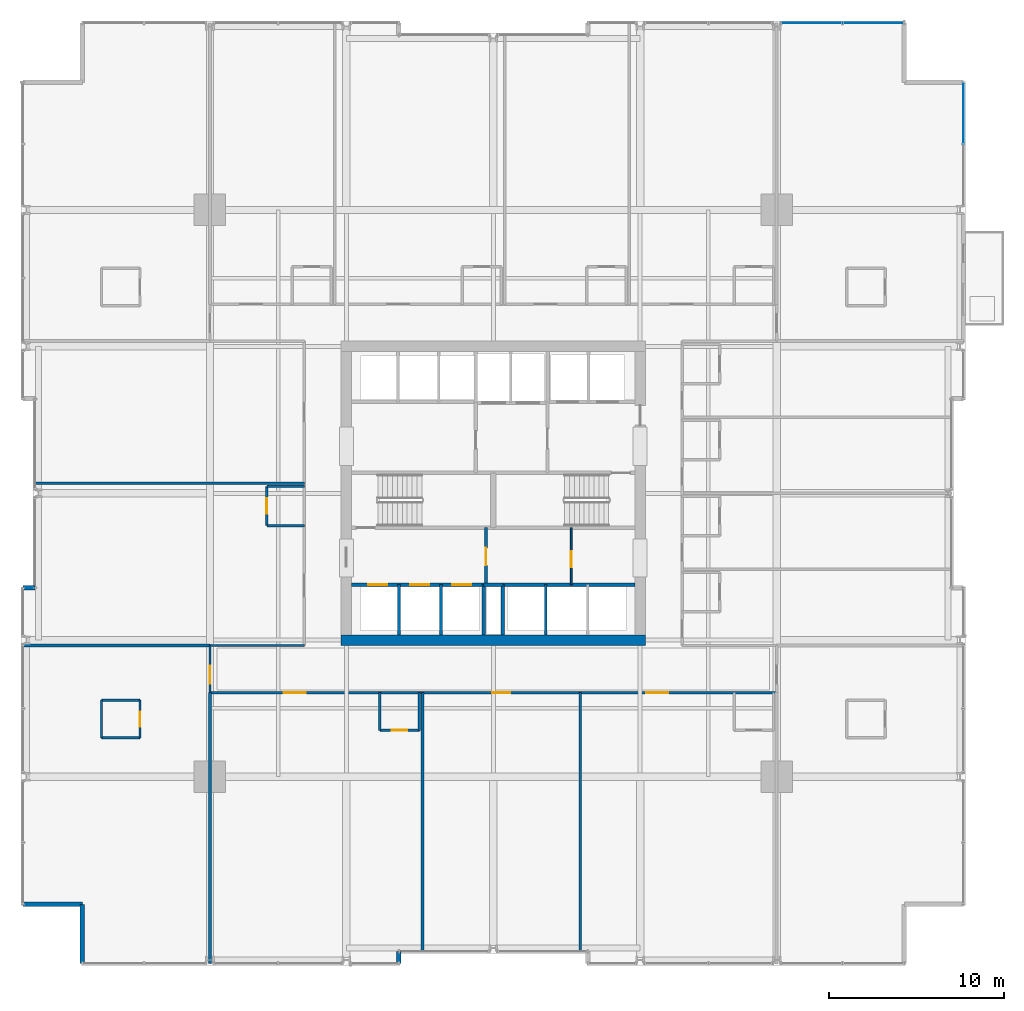
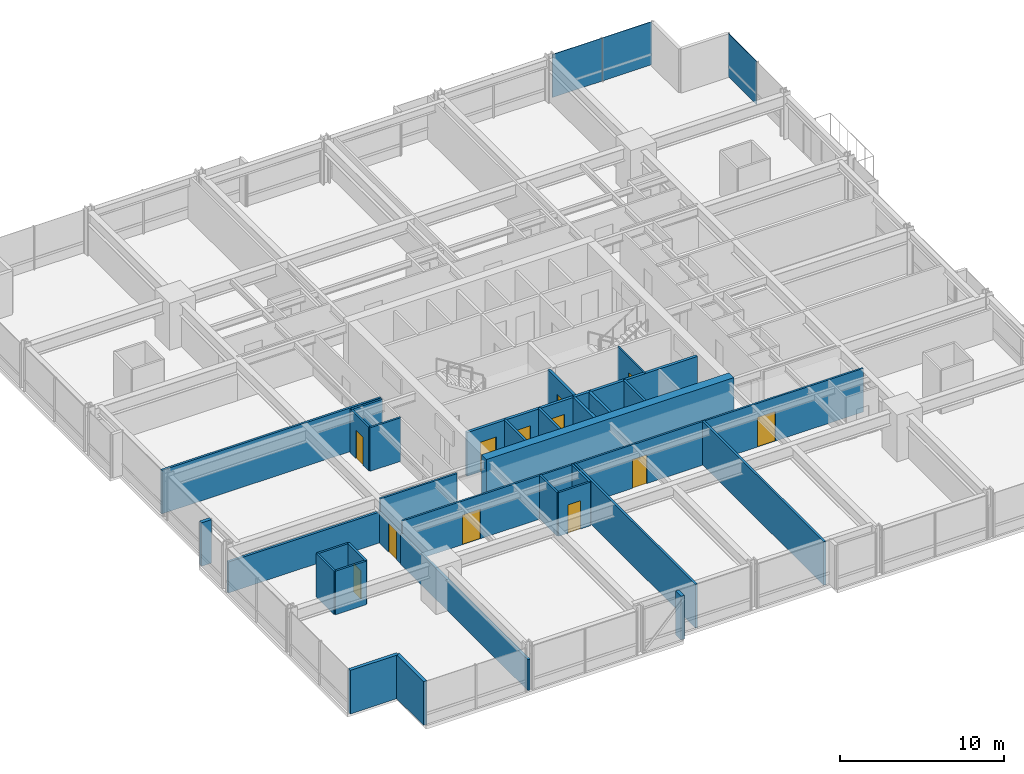
# One storey, part 30 of 38: 33 walls, 12 doors, 3 plates, 12 openings, 2 elements without a shape of their own.
"""IFC4 building model written with IfcOpenShell, lengths in metres."""

from ifc_helpers import new_model, si_unit, direction, frame, frame_2d, origin, origin_2d, place, context, subcontext, project, spatial, rectangle, extrude, material, layer, layer_set, type_object, element, fill, aggregate, save


model = new_model("IFC4")

# Units and contexts
model_context = context("Model", 3, precision=1e-05, world=origin(), true_north=direction((0.0, 1.0)))
body_context = subcontext(model_context, "Body", "Model", "MODEL_VIEW")
ifc_project = project(units=[si_unit("LENGTHUNIT", "METRE"), si_unit("AREAUNIT", "SQUARE_METRE"), si_unit("VOLUMEUNIT", "CUBIC_METRE"), si_unit("PLANEANGLEUNIT", "RADIAN"), si_unit("MASSUNIT", "GRAM", prefix="KILO")], contexts=[model_context])

# Site, building, storey
site_placement = place(None, origin())
site = spatial("IfcSite", under=ifc_project, at=site_placement, CompositionType="ELEMENT")
building_placement = place(site_placement, origin())
building = spatial("IfcBuilding", under=site, at=building_placement, Name="Drelvath Grand Hotel", CompositionType="ELEMENT")
storey_placement = place(building_placement, frame((0.0, 0.0, 47.199951171875)))
storey = spatial("IfcBuildingStorey", under=building, at=storey_placement, Name="L10", CompositionType="ELEMENT", Elevation=47.199951171875)

# Curtain wall, plate
ifc_material_1 = material(Name="Warm Bronze Anodised Aluminium Frame", Category="aluminium")
ifc_layer_1 = layer(ifc_material_1, 0.199951171875)
ifc_layer_set_1 = layer_set([ifc_layer_1], Name="Warm Bronze Anodised Aluminium Frame")
curtain_wall_type = type_object("IfcCurtainWallType", Name="Stick Curtain Wall CW-02 Warm Bronze Low-Rise", PredefinedType="NOTDEFINED", material=ifc_layer_set_1)
curtain_wall_1_placement = place(storey_placement, origin())
curtain_wall_1 = element("IfcCurtainWall", 1, at=curtain_wall_1_placement, inside=storey, type_object=curtain_wall_type, Name="L10 CW-02 Curtain Wall CW02-L10-EN3", PredefinedType="NOTDEFINED")
ifc_material_2 = material(Name="Low-E Triple Silver Vision Glass Bronze Tint", Category="glass")
ifc_layer_2 = layer(ifc_material_2, 0.035888671875)
ifc_layer_set_2 = layer_set([ifc_layer_2], Name="Low-E Triple Silver Vision Glass Bronze Tint")
plate_type = type_object("IfcPlateType", Name="Curtain Wall Vision Panel CW-02 36mm", PredefinedType="CURTAIN_PANEL", material=ifc_layer_set_2)
plate_1_placement = place(storey_placement, frame((26.8798828125, 48.735107421875, 0.02001953125), z_axis=(0.0, 0.0, 1.0), x_axis=(0.0, -1.0, 0.0)))
plate_1 = element("IfcPlate", 2, at=plate_1_placement, type_object=plate_type, Name="CW02-L10-EN3 Glazed Panel 1", PredefinedType="CURTAIN_PANEL", context=body_context, shape_type="SweptSolid", body=[
    extrude(rectangle(XDim=3.489501953125, YDim=0.035888671875, at=origin_2d()), origin(), (0.0, 0.0, 1.0), 3.199951171875),
])
aggregate(curtain_wall_1, [plate_1])

# Curtain wall, plates
curtain_wall_2_placement = place(storey_placement, origin())
curtain_wall_2 = element("IfcCurtainWall", 3, at=curtain_wall_2_placement, inside=storey, type_object=curtain_wall_type, Name="L10 CW-02 Curtain Wall CW02-L10-NE3", PredefinedType="NOTDEFINED")
plate_2_placement = place(storey_placement, frame((18.205810546875, 53.8798828125, 0.02001953125), z_axis=(0.0, 0.0, 1.0), x_axis=(1.0, 0.0, 0.0)))
plate_2 = element("IfcPlate", 4, at=plate_2_placement, type_object=plate_type, Name="CW02-L10-NE3 Glazed Panel 1", PredefinedType="CURTAIN_PANEL", context=body_context, shape_type="SweptSolid", body=[
    extrude(rectangle(XDim=3.489501953125, YDim=0.035888671875, at=origin_2d()), origin(), (0.0, 0.0, 1.0), 3.199951171875),
])
plate_3_placement = place(storey_placement, frame((21.735107421875, 53.8798828125, 0.02001953125), z_axis=(0.0, 0.0, 1.0), x_axis=(1.0, 0.0, 0.0)))
plate_3 = element("IfcPlate", 5, at=plate_3_placement, type_object=plate_type, Name="CW02-L10-NE3 Glazed Panel 2", PredefinedType="CURTAIN_PANEL", context=body_context, shape_type="SweptSolid", body=[
    extrude(rectangle(XDim=3.489501953125, YDim=0.035888671875, at=origin_2d()), origin(), (0.0, 0.0, 1.0), 3.199951171875),
])
aggregate(curtain_wall_2, [plate_2, plate_3])

# Wall, opening, door
ifc_material_3 = material(Name="Gypsum Partition Board")
ifc_layer_3 = layer(ifc_material_3, 0.10009765625)
ifc_layer_set_3 = layer_set([ifc_layer_3], Name="Gypsum Partition Board")
wall_type_1 = type_object("IfcWallType", Name="Core Closet Partition 100", PredefinedType="PARTITIONING", material=ifc_layer_set_3)
wall_1_placement = place(storey_placement, frame((4.4599609375, 21.780029296875, 0.0), z_axis=(0.0, 0.0, 1.0), x_axis=(0.0, 1.0, 0.0)))
wall_1 = element("IfcWall", 6, at=wall_1_placement, inside=storey, type_object=wall_type_1, Name="L10 Housekeeping Split Wall", PredefinedType="PARTITIONING", context=body_context, shape_type="SweptSolid", body=[
    extrude(rectangle(XDim=3.260009765625, YDim=0.10009765625, at=frame_2d((1.6298828125, 0.0))), origin(), (0.0, 0.0, 1.0), 3.239990234375),
])
opening_1_placement = place(wall_1_placement, frame((1.0, 0.0, 0.0)))
opening_1 = element("IfcOpeningElement", 7, at=opening_1_placement, cuts=wall_1, Name="Opening D-T1G2-015", PredefinedType="OPENING", context=body_context, shape_type="SweptSolid", body=[
    extrude(rectangle(XDim=0.919921875, YDim=2.10009765625, at=frame_2d((0.4599609375, 1.050048828125))), frame((0.0, 0.06005859375, 0.0), z_axis=(0.0, -1.0, 0.0), x_axis=(1.0, 0.0, 0.0)), (0.0, 0.0, 1.0), 0.1201171875),
])
ifc_material_4 = material(Name="Painted Steel S275", Category="steel")
door_type_1 = type_object("IfcDoorType", Name="Staff Utility Door 920x2100", OperationType="NOTDEFINED", PredefinedType="DOOR", material=ifc_material_4)
door_1_placement = place(opening_1_placement, origin())
door_1 = element("IfcDoor", 8, at=door_1_placement, inside=storey, type_object=door_type_1, Name="L10 Core Store Door", OperationType="SINGLE_SWING_RIGHT", OverallHeight=2.10009765625, OverallWidth=0.919921875, PredefinedType="DOOR", context=body_context, shape_type="SweptSolid", body=[
    extrude(rectangle(XDim=0.919921875, YDim=2.10009765625, at=frame_2d((0.4599609375, 1.050048828125))), frame((0.0, 0.02490234375, 0.0), z_axis=(0.0, -1.0, 0.0), x_axis=(1.0, 0.0, 0.0)), (0.0, 0.0, 1.0), 0.050048828125),
])
fill(opening_1, door_1)

# Wall, openings, doors
ifc_material_5 = material(Name="Concrete C40/50", Category="concrete")
ifc_layer_4 = layer(ifc_material_5, 0.199951171875)
ifc_layer_set_4 = layer_set([ifc_layer_4], Name="Concrete C40/50")
wall_type_2 = type_object("IfcWallType", Name="Core Hoistway Fire Wall 200", PredefinedType="SOLIDWALL", material=ifc_layer_set_4)
wall_2_placement = place(storey_placement, frame((-0.550048828125, 21.780029296875, 0.0), z_axis=(0.0, 0.0, 1.0), x_axis=(-1.0, 0.0, 0.0)))
wall_2 = element("IfcWall", 9, at=wall_2_placement, inside=storey, type_object=wall_type_2, Name="L10 Bank 1 Hoistway Wall", PredefinedType="SOLIDWALL", context=body_context, shape_type="SweptSolid", body=[
    extrude(rectangle(XDim=7.550048828125, YDim=0.199951171875, at=frame_2d((3.77490234375, 0.0))), origin(), (0.0, 0.0, 1.0), 3.239990234375),
])
opening_2_placement = place(wall_2_placement, frame((5.5, 0.0, 0.0)))
opening_2 = element("IfcOpeningElement", 10, at=opening_2_placement, cuts=wall_2, Name="Opening LD-PE-1", PredefinedType="OPENING", context=body_context, shape_type="SweptSolid", body=[
    extrude(rectangle(XDim=1.10009765625, YDim=2.199951171875, at=frame_2d((0.550048828125, 1.10009765625))), frame((0.0, 0.10986328125, 0.0), z_axis=(0.0, -1.0, 0.0), x_axis=(1.0, 0.0, 0.0)), (0.0, 0.0, 1.0), 0.219970703125),
])
opening_3_placement = place(wall_2_placement, frame((3.10009765625, 0.0, 0.0)))
opening_3 = element("IfcOpeningElement", 11, at=opening_3_placement, cuts=wall_2, Name="Opening LD-PE-2", PredefinedType="OPENING", context=body_context, shape_type="SweptSolid", body=[
    extrude(rectangle(XDim=1.10009765625, YDim=2.199951171875, at=frame_2d((0.550048828125, 1.10009765625))), frame((0.0, 0.10986328125, 0.0), z_axis=(0.0, -1.0, 0.0), x_axis=(1.0, 0.0, 0.0)), (0.0, 0.0, 1.0), 0.219970703125),
])
opening_4_placement = place(wall_2_placement, frame((0.699951171875, 0.0, 0.0)))
opening_4 = element("IfcOpeningElement", 12, at=opening_4_placement, cuts=wall_2, Name="Opening LD-PE-3", PredefinedType="OPENING", context=body_context, shape_type="SweptSolid", body=[
    extrude(rectangle(XDim=1.10009765625, YDim=2.199951171875, at=frame_2d((0.550048828125, 1.10009765625))), frame((0.0, 0.10986328125, 0.0), z_axis=(0.0, -1.0, 0.0), x_axis=(1.0, 0.0, 0.0)), (0.0, 0.0, 1.0), 0.219970703125),
])
ifc_material_6 = material(Name="Stainless Steel S355", Category="steel")
door_type_2 = type_object("IfcDoorType", Name="Passenger Lift Sliding Landing Door 1100x2200", OperationType="NOTDEFINED", PredefinedType="DOOR", material=ifc_material_6)
door_2_placement = place(opening_2_placement, origin())
door_2 = element("IfcDoor", 13, at=door_2_placement, inside=storey, type_object=door_type_2, Name="L10 Lift PE-1 Landing Door", OperationType="SLIDING_TO_LEFT", OverallHeight=2.199951171875, OverallWidth=1.10009765625, PredefinedType="DOOR", context=body_context, shape_type="SweptSolid", body=[
    extrude(rectangle(XDim=1.10009765625, YDim=2.199951171875, at=frame_2d((0.550048828125, 1.10009765625))), frame((0.0, 0.02490234375, 0.0), z_axis=(0.0, -1.0, 0.0), x_axis=(1.0, 0.0, 0.0)), (0.0, 0.0, 1.0), 0.050048828125),
])
fill(opening_2, door_2)
door_3_placement = place(opening_3_placement, origin())
door_3 = element("IfcDoor", 14, at=door_3_placement, inside=storey, type_object=door_type_2, Name="L10 Lift PE-2 Landing Door", OperationType="SLIDING_TO_LEFT", OverallHeight=2.199951171875, OverallWidth=1.10009765625, PredefinedType="DOOR", context=body_context, shape_type="SweptSolid", body=[
    extrude(rectangle(XDim=1.10009765625, YDim=2.199951171875, at=frame_2d((0.550048828125, 1.10009765625))), frame((0.0, 0.02490234375, 0.0), z_axis=(0.0, -1.0, 0.0), x_axis=(1.0, 0.0, 0.0)), (0.0, 0.0, 1.0), 0.050048828125),
])
fill(opening_3, door_3)
door_4_placement = place(opening_4_placement, origin())
door_4 = element("IfcDoor", 15, at=door_4_placement, inside=storey, type_object=door_type_2, Name="L10 Lift PE-3 Landing Door", OperationType="SLIDING_TO_LEFT", OverallHeight=2.199951171875, OverallWidth=1.10009765625, PredefinedType="DOOR", context=body_context, shape_type="SweptSolid", body=[
    extrude(rectangle(XDim=1.10009765625, YDim=2.199951171875, at=frame_2d((0.550048828125, 1.10009765625))), frame((0.0, 0.02490234375, 0.0), z_axis=(0.0, -1.0, 0.0), x_axis=(1.0, 0.0, 0.0)), (0.0, 0.0, 1.0), 0.050048828125),
])
fill(opening_4, door_4)

# Walls
wall_3_placement = place(storey_placement, frame((-0.550048828125, 18.89990234375, 0.0), z_axis=(0.0, 0.0, 1.0), x_axis=(0.0, 1.0, 0.0)))
element("IfcWall", 16, at=wall_3_placement, inside=storey, type_object=wall_type_2, Name="L10 Bank 1 East Wall", PredefinedType="SOLIDWALL", context=body_context, shape_type="SweptSolid", body=[
    extrude(rectangle(XDim=2.880126953125, YDim=0.199951171875, at=frame_2d((1.43994140625, 0.0))), origin(), (0.0, 0.0, 1.0), 3.239990234375),
])
wall_4_placement = place(storey_placement, frame((8.10009765625, 21.780029296875, 0.0), z_axis=(0.0, 0.0, 1.0), x_axis=(-1.0, 0.0, 0.0)))
element("IfcWall", 17, at=wall_4_placement, inside=storey, type_object=wall_type_2, Name="L10 Bank 2 Hoistway Wall", PredefinedType="SOLIDWALL", context=body_context, shape_type="SweptSolid", body=[
    extrude(rectangle(XDim=7.550048828125, YDim=0.199951171875, at=frame_2d((3.77490234375, 0.0))), origin(), (0.0, 0.0, 1.0), 3.239990234375),
])
wall_5_placement = place(storey_placement, frame((0.550048828125, 18.89990234375, 0.0), z_axis=(0.0, 0.0, 1.0), x_axis=(0.0, 1.0, 0.0)))
element("IfcWall", 18, at=wall_5_placement, inside=storey, type_object=wall_type_2, Name="L10 Bank 2 West Wall", PredefinedType="SOLIDWALL", context=body_context, shape_type="SweptSolid", body=[
    extrude(rectangle(XDim=2.880126953125, YDim=0.199951171875, at=frame_2d((1.43994140625, 0.0))), origin(), (0.0, 0.0, 1.0), 3.239990234375),
])
wall_6_placement = place(storey_placement, frame((-0.550048828125, 21.780029296875, 0.0), z_axis=(0.0, 0.0, 1.0), x_axis=(1.0, 0.0, 0.0)))
element("IfcWall", 19, at=wall_6_placement, inside=storey, type_object=wall_type_2, Name="L10 Core Riser Wall", PredefinedType="SOLIDWALL", context=body_context, shape_type="SweptSolid", body=[
    extrude(rectangle(XDim=1.10009765625, YDim=0.199951171875, at=frame_2d((0.550048828125, 0.0))), origin(), (0.0, 0.0, 1.0), 3.239990234375),
])
ifc_material_7 = material(Name="Gypsum Fireboard Partition")
ifc_layer_5 = layer(ifc_material_7, 0.1650390625)
ifc_layer_set_5 = layer_set([ifc_layer_5], Name="Gypsum Fireboard Partition")
wall_type_3 = type_object("IfcWallType", Name="Core Shaft Partition 165", PredefinedType="PARTITIONING", material=ifc_layer_set_5)
for number, where, z_axis, x_axis, name in (
    (20, (-5.39990234375, 18.89990234375, 0.0), (0.0, 0.0, 1.0), (0.0, 1.0, 0.0), "L10 Lift PE-1/2 Divider"),
    (21, (-3.0, 18.89990234375, 0.0), (0.0, 0.0, 1.0), (0.0, 1.0, 0.0), "L10 Lift PE-2/3 Divider"),
    (22, (3.0, 18.89990234375, 0.0), (0.0, 0.0, 1.0), (0.0, 1.0, 0.0), "L10 Lift PE-4/5 Divider"),
):
    element("IfcWall", number, at=place(storey_placement, frame(where, z_axis=z_axis, x_axis=x_axis)), inside=storey, type_object=wall_type_3, Name=name, PredefinedType="PARTITIONING", context=body_context, shape_type="SweptSolid", body=[
        extrude(rectangle(XDim=2.880126953125, YDim=0.1650390625, at=frame_2d((1.43994140625, 0.0))), origin(), (0.0, 0.0, 1.0), 3.239990234375),
    ])

# Wall, openings, doors
ifc_layer_6 = layer(ifc_material_7, 0.135009765625)
ifc_layer_set_6 = layer_set([ifc_layer_6], Name="Gypsum Fireboard Partition")
wall_type_4 = type_object("IfcWallType", Name="Corridor Fire Barrier Wall 135", PredefinedType="PARTITIONING", material=ifc_layer_set_6)
wall_7_placement = place(storey_placement, frame((-16.199951171875, 15.60009765625, 0.0), z_axis=(0.0, 0.0, 1.0), x_axis=(1.0, 0.0, 0.0)))
wall_7 = element("IfcWall", 23, at=wall_7_placement, inside=storey, type_object=wall_type_4, Name="L10 South Corridor Wall", PredefinedType="PARTITIONING", context=body_context, shape_type="SweptSolid", body=[
    extrude(rectangle(XDim=32.39990234375, YDim=0.135009765625, at=frame_2d((16.199951171875, 0.0))), origin(), (0.0, 0.0, 1.0), 3.239990234375),
])
opening_5_placement = place(wall_7_placement, frame((4.22998046875, 0.0, 0.0)))
opening_5 = element("IfcOpeningElement", 24, at=opening_5_placement, cuts=wall_7, Name="Opening D-T1G2-025", PredefinedType="OPENING", context=body_context, shape_type="SweptSolid", body=[
    extrude(rectangle(XDim=1.260009765625, YDim=2.199951171875, at=frame_2d((0.6298828125, 1.10009765625))), frame((0.0, 0.077392578125, 0.0), z_axis=(0.0, -1.0, 0.0), x_axis=(1.0, 0.0, 0.0)), (0.0, 0.0, 1.0), 0.155029296875),
])
opening_6_placement = place(wall_7_placement, frame((16.155029296875, 0.0, 0.0)))
opening_6 = element("IfcOpeningElement", 25, at=opening_6_placement, cuts=wall_7, Name="Opening D-T1G2-026", PredefinedType="OPENING", context=body_context, shape_type="SweptSolid", body=[
    extrude(rectangle(XDim=1.02001953125, YDim=2.14990234375, at=frame_2d((0.510009765625, 1.074951171875))), frame((0.0, 0.077392578125, 0.0), z_axis=(0.0, -1.0, 0.0), x_axis=(1.0, 0.0, 0.0)), (0.0, 0.0, 1.0), 0.155029296875),
])
opening_7_placement = place(wall_7_placement, frame((24.945068359375, 0.0, 0.0)))
opening_7 = element("IfcOpeningElement", 26, at=opening_7_placement, cuts=wall_7, Name="Opening D-T1G2-028", PredefinedType="OPENING", context=body_context, shape_type="SweptSolid", body=[
    extrude(rectangle(XDim=1.260009765625, YDim=2.199951171875, at=frame_2d((0.6298828125, 1.10009765625))), frame((0.0, 0.077392578125, 0.0), z_axis=(0.0, -1.0, 0.0), x_axis=(1.0, 0.0, 0.0)), (0.0, 0.0, 1.0), 0.155029296875),
])
ifc_material_8 = material(Name="Hardwood Walnut Timber", Category="wood")
door_type_3 = type_object("IfcDoorType", Name="Amenity Meeting Fire Door 1020x2150", OperationType="NOTDEFINED", PredefinedType="DOOR", material=ifc_material_8)
door_5_placement = place(opening_6_placement, origin())
door_5 = element("IfcDoor", 27, at=door_5_placement, inside=storey, type_object=door_type_3, Name="L10 Executive Club Lounge Entry Door", OperationType="SINGLE_SWING_LEFT", OverallHeight=2.14990234375, OverallWidth=1.02001953125, PredefinedType="DOOR", context=body_context, shape_type="SweptSolid", body=[
    extrude(rectangle(XDim=1.02001953125, YDim=2.14990234375, at=frame_2d((0.510009765625, 1.074951171875))), frame((0.0, 0.02490234375, 0.0), z_axis=(0.0, -1.0, 0.0), x_axis=(1.0, 0.0, 0.0)), (0.0, 0.0, 1.0), 0.050048828125),
])
fill(opening_6, door_5)
door_type_4 = type_object("IfcDoorType", Name="Suite Entrance Fire Door 1260x2200", OperationType="NOTDEFINED", PredefinedType="DOOR", material=ifc_material_8)
door_6_placement = place(opening_5_placement, origin())
door_6 = element("IfcDoor", 28, at=door_6_placement, inside=storey, type_object=door_type_4, Name="L10 Corner Suite Entry Door", OperationType="SINGLE_SWING_RIGHT", OverallHeight=2.199951171875, OverallWidth=1.260009765625, PredefinedType="DOOR", context=body_context, shape_type="SweptSolid", body=[
    extrude(rectangle(XDim=1.260009765625, YDim=2.199951171875, at=frame_2d((0.6298828125, 1.10009765625))), frame((0.0, 0.02490234375, 0.0), z_axis=(0.0, -1.0, 0.0), x_axis=(1.0, 0.0, 0.0)), (0.0, 0.0, 1.0), 0.050048828125),
])
fill(opening_5, door_6)
door_7_placement = place(opening_7_placement, origin())
door_7 = element("IfcDoor", 29, at=door_7_placement, inside=storey, type_object=door_type_4, Name="L10 Corner Suite Entry Door", OperationType="SINGLE_SWING_LEFT", OverallHeight=2.199951171875, OverallWidth=1.260009765625, PredefinedType="DOOR", context=body_context, shape_type="SweptSolid", body=[
    extrude(rectangle(XDim=1.260009765625, YDim=2.199951171875, at=frame_2d((0.6298828125, 1.10009765625))), frame((0.0, 0.02490234375, 0.0), z_axis=(0.0, -1.0, 0.0), x_axis=(1.0, 0.0, 0.0)), (0.0, 0.0, 1.0), 0.050048828125),
])
fill(opening_7, door_7)

# Wall
wall_8_placement = place(storey_placement, frame((-16.199951171875, 18.300048828125, 0.0), z_axis=(0.0, 0.0, 1.0), x_axis=(1.0, 0.0, 0.0)))
element("IfcWall", 30, at=wall_8_placement, inside=storey, type_object=wall_type_4, Name="L10 SW Spur Inner Wall", PredefinedType="PARTITIONING", context=body_context, shape_type="SweptSolid", body=[
    extrude(rectangle(XDim=5.39990234375, YDim=0.135009765625, at=frame_2d((2.699951171875, 0.0))), origin(), (0.0, 0.0, 1.0), 3.239990234375),
])

# Wall, opening, door
wall_9_placement = place(storey_placement, frame((-16.199951171875, 15.60009765625, 0.0), z_axis=(0.0, 0.0, 1.0), x_axis=(0.0, 1.0, 0.0)))
wall_9 = element("IfcWall", 31, at=wall_9_placement, inside=storey, type_object=wall_type_4, Name="L10 South Corridor West End", PredefinedType="PARTITIONING", context=body_context, shape_type="SweptSolid", body=[
    extrude(rectangle(XDim=2.699951171875, YDim=0.135009765625, at=frame_2d((1.35009765625, 0.0))), origin(), (0.0, 0.0, 1.0), 2.29833984375),
])
opening_8_placement = place(wall_9_placement, frame((0.52001953125, 0.0, 0.0)))
opening_8 = element("IfcOpeningElement", 32, at=opening_8_placement, cuts=wall_9, Name="Opening D-T1G2-017", PredefinedType="OPENING", context=body_context, shape_type="SweptSolid", body=[
    extrude(rectangle(XDim=1.02001953125, YDim=2.14990234375, at=frame_2d((0.510009765625, 1.074951171875))), frame((0.0, 0.077392578125, 0.0), z_axis=(0.0, -1.0, 0.0), x_axis=(1.0, 0.0, 0.0)), (0.0, 0.0, 1.0), 0.155029296875),
])
door_8_placement = place(opening_8_placement, origin())
door_8 = element("IfcDoor", 33, at=door_8_placement, inside=storey, type_object=door_type_3, Name="L10 Corner Suite Entry Door", OperationType="SINGLE_SWING_RIGHT", OverallHeight=2.14990234375, OverallWidth=1.02001953125, PredefinedType="DOOR", context=body_context, shape_type="SweptSolid", body=[
    extrude(rectangle(XDim=1.02001953125, YDim=2.14990234375, at=frame_2d((0.510009765625, 1.074951171875))), frame((0.0, 0.02490234375, 0.0), z_axis=(0.0, -1.0, 0.0), x_axis=(1.0, 0.0, 0.0)), (0.0, 0.0, 1.0), 0.050048828125),
])
fill(opening_8, door_8)

# Walls
ifc_material_9 = material(Name="Moisture-Resistant Gypsum Board")
ifc_layer_7 = layer(ifc_material_9, 0.139892578125)
ifc_layer_set_7 = layer_set([ifc_layer_7], Name="Moisture-Resistant Gypsum Board")
wall_type_5 = type_object("IfcWallType", Name="En-Suite Plumbing Wall 140", PredefinedType="PLUMBINGWALL", material=ifc_layer_set_7)
for number, where, z_axis, x_axis, name in (
    (34, (-22.39990234375, 13.02001953125, 0.0), (0.0, 0.0, 1.0), (1.0, 0.0, 0.0), "L10 Corner En-Suite South"),
    (35, (-22.39990234375, 15.169921875, 0.0), (0.0, 0.0, 1.0), (1.0, 0.0, 0.0), "L10 Corner En-Suite North"),
):
    element("IfcWall", number, at=place(storey_placement, frame(where, z_axis=z_axis, x_axis=x_axis)), inside=storey, type_object=wall_type_5, Name=name, PredefinedType="PLUMBINGWALL", context=body_context, shape_type="SweptSolid", body=[
        extrude(rectangle(XDim=2.199951171875, YDim=0.139892578125, at=frame_2d((1.10009765625, 0.0))), origin(), (0.0, 0.0, 1.0), 3.239990234375),
    ])
wall_10_placement = place(storey_placement, frame((-22.39990234375, 13.02001953125, 0.0), z_axis=(0.0, 0.0, 1.0), x_axis=(0.0, 1.0, 0.0)))
element("IfcWall", 36, at=wall_10_placement, inside=storey, type_object=wall_type_5, Name="L10 Corner En-Suite West", PredefinedType="PLUMBINGWALL", context=body_context, shape_type="SweptSolid", body=[
    extrude(rectangle(XDim=2.14990234375, YDim=0.139892578125, at=frame_2d((1.074951171875, 0.0))), origin(), (0.0, 0.0, 1.0), 3.239990234375),
])

# Wall, opening, door
wall_11_placement = place(storey_placement, frame((-20.199951171875, 13.02001953125, 0.0), z_axis=(0.0, 0.0, 1.0), x_axis=(0.0, 1.0, 0.0)))
wall_11 = element("IfcWall", 37, at=wall_11_placement, inside=storey, type_object=wall_type_5, Name="L10 Corner En-Suite East", PredefinedType="PLUMBINGWALL", context=body_context, shape_type="SweptSolid", body=[
    extrude(rectangle(XDim=2.14990234375, YDim=0.139892578125, at=frame_2d((1.074951171875, 0.0))), origin(), (0.0, 0.0, 1.0), 3.239990234375),
])
opening_9_placement = place(wall_11_placement, frame((0.6201171875, 0.0, 0.0)))
opening_9 = element("IfcOpeningElement", 38, at=opening_9_placement, cuts=wall_11, Name="Opening D-T1G2-016", PredefinedType="OPENING", context=body_context, shape_type="SweptSolid", body=[
    extrude(rectangle(XDim=0.8798828125, YDim=2.10009765625, at=frame_2d((0.43994140625, 1.050048828125))), frame((0.0, 0.079833984375, 0.0), z_axis=(0.0, -1.0, 0.0), x_axis=(1.0, 0.0, 0.0)), (0.0, 0.0, 1.0), 0.159912109375),
])
door_type_5 = type_object("IfcDoorType", Name="En-Suite Bathroom Door 880x2100", OperationType="NOTDEFINED", PredefinedType="DOOR", material=ifc_material_8)
door_9_placement = place(opening_9_placement, origin())
door_9 = element("IfcDoor", 39, at=door_9_placement, inside=storey, type_object=door_type_5, Name="L10 Corner En-Suite Door", OperationType="SINGLE_SWING_LEFT", OverallHeight=2.10009765625, OverallWidth=0.8798828125, PredefinedType="DOOR", context=body_context, shape_type="SweptSolid", body=[
    extrude(rectangle(XDim=0.8798828125, YDim=2.10009765625, at=frame_2d((0.43994140625, 1.050048828125))), frame((0.0, 0.02490234375, 0.0), z_axis=(0.0, -1.0, 0.0), x_axis=(1.0, 0.0, 0.0)), (0.0, 0.0, 1.0), 0.050048828125),
])
fill(opening_9, door_9)

# Walls
for number, where, z_axis, x_axis, name in (
    (40, (-6.47998046875, 15.60009765625, 0.0), (0.0, 0.0, 1.0), (0.0, -1.0, 0.0), "L10 En-Suite Left Wall"),
    (41, (-4.22998046875, 15.60009765625, 0.0), (0.0, 0.0, 1.0), (0.0, -1.0, 0.0), "L10 En-Suite Right Wall"),
):
    element("IfcWall", number, at=place(storey_placement, frame(where, z_axis=z_axis, x_axis=x_axis)), inside=storey, type_object=wall_type_5, Name=name, PredefinedType="PLUMBINGWALL", context=body_context, shape_type="SweptSolid", body=[
        extrude(rectangle(XDim=2.150146484375, YDim=0.139892578125, at=frame_2d((1.0751953125, 0.0))), origin(), (0.0, 0.0, 1.0), 3.239990234375),
    ])

# Wall, opening, door
wall_12_placement = place(storey_placement, frame((-6.47998046875, 13.449951171875, 0.0), z_axis=(0.0, 0.0, 1.0), x_axis=(1.0, 0.0, 0.0)))
wall_12 = element("IfcWall", 42, at=wall_12_placement, inside=storey, type_object=wall_type_5, Name="L10 En-Suite Front Wall", PredefinedType="PLUMBINGWALL", context=body_context, shape_type="SweptSolid", body=[
    extrude(rectangle(XDim=2.25, YDim=0.139892578125, at=frame_2d((1.125, 0.0))), origin(), (0.0, 0.0, 1.0), 3.239990234375),
])
opening_10_placement = place(wall_12_placement, frame((0.68505859375, 0.0, 0.0)))
opening_10 = element("IfcOpeningElement", 43, at=opening_10_placement, cuts=wall_12, Name="Opening D-T1G2-024", PredefinedType="OPENING", context=body_context, shape_type="SweptSolid", body=[
    extrude(rectangle(XDim=0.8798828125, YDim=2.10009765625, at=frame_2d((0.43994140625, 1.050048828125))), frame((0.0, 0.079833984375, 0.0), z_axis=(0.0, -1.0, 0.0), x_axis=(1.0, 0.0, 0.0)), (0.0, 0.0, 1.0), 0.159912109375),
])
door_10_placement = place(opening_10_placement, origin())
door_10 = element("IfcDoor", 44, at=door_10_placement, inside=storey, type_object=door_type_5, Name="L10 En-Suite Bathroom Door", OperationType="SINGLE_SWING_LEFT", OverallHeight=2.10009765625, OverallWidth=0.8798828125, PredefinedType="DOOR", context=body_context, shape_type="SweptSolid", body=[
    extrude(rectangle(XDim=0.8798828125, YDim=2.10009765625, at=frame_2d((0.43994140625, 1.050048828125))), frame((0.0, 0.02490234375, 0.0), z_axis=(0.0, -1.0, 0.0), x_axis=(1.0, 0.0, 0.0)), (0.0, 0.0, 1.0), 0.050048828125),
])
fill(opening_10, door_10)

# Walls
for number, where, z_axis, x_axis, name in (
    (45, (-10.800048828125, 25.14990234375, 0.0), (0.0, 0.0, 1.0), (-1.0, 0.0, 0.0), "L10 En-Suite Left Wall"),
    (46, (-10.800048828125, 27.39990234375, 0.0), (0.0, 0.0, 1.0), (-1.0, 0.0, 0.0), "L10 En-Suite Right Wall"),
):
    element("IfcWall", number, at=place(storey_placement, frame(where, z_axis=z_axis, x_axis=x_axis)), inside=storey, type_object=wall_type_5, Name=name, PredefinedType="PLUMBINGWALL", context=body_context, shape_type="SweptSolid", body=[
        extrude(rectangle(XDim=2.14990234375, YDim=0.139892578125, at=frame_2d((1.074951171875, 0.0))), origin(), (0.0, 0.0, 1.0), 3.239990234375),
    ])

# Wall, opening, door
wall_13_placement = place(storey_placement, frame((-12.949951171875, 25.14990234375, 0.0), z_axis=(0.0, 0.0, 1.0), x_axis=(0.0, 1.0, 0.0)))
wall_13 = element("IfcWall", 47, at=wall_13_placement, inside=storey, type_object=wall_type_5, Name="L10 En-Suite Front Wall", PredefinedType="PLUMBINGWALL", context=body_context, shape_type="SweptSolid", body=[
    extrude(rectangle(XDim=2.25, YDim=0.139892578125, at=frame_2d((1.125, 0.0))), origin(), (0.0, 0.0, 1.0), 3.239990234375),
])
opening_11_placement = place(wall_13_placement, frame((0.68505859375, 0.0, 0.0)))
opening_11 = element("IfcOpeningElement", 48, at=opening_11_placement, cuts=wall_13, Name="Opening D-T1G2-037", PredefinedType="OPENING", context=body_context, shape_type="SweptSolid", body=[
    extrude(rectangle(XDim=0.8798828125, YDim=2.10009765625, at=frame_2d((0.43994140625, 1.050048828125))), frame((0.0, 0.079833984375, 0.0), z_axis=(0.0, -1.0, 0.0), x_axis=(1.0, 0.0, 0.0)), (0.0, 0.0, 1.0), 0.159912109375),
])
door_11_placement = place(opening_11_placement, origin())
door_11 = element("IfcDoor", 49, at=door_11_placement, inside=storey, type_object=door_type_5, Name="L10 En-Suite Bathroom Door", OperationType="SINGLE_SWING_RIGHT", OverallHeight=2.10009765625, OverallWidth=0.8798828125, PredefinedType="DOOR", context=body_context, shape_type="SweptSolid", body=[
    extrude(rectangle(XDim=0.8798828125, YDim=2.10009765625, at=frame_2d((0.43994140625, 1.050048828125))), frame((0.0, 0.02490234375, 0.0), z_axis=(0.0, -1.0, 0.0), x_axis=(1.0, 0.0, 0.0)), (0.0, 0.0, 1.0), 0.050048828125),
])
fill(opening_11, door_11)

ifc_layer_8 = layer(ifc_material_7, 0.179931640625)
ifc_layer_set_8 = layer_set([ifc_layer_8], Name="Gypsum Fireboard Partition")
wall_type_6 = type_object("IfcWallType", Name="FSAE Smoke Lobby Fire Wall 180", PredefinedType="SOLIDWALL", material=ifc_layer_set_8)
wall_14_placement = place(storey_placement, frame((-0.419921875, 21.780029296875, 0.0), z_axis=(0.0, 0.0, 1.0), x_axis=(0.0, 1.0, 0.0)))
wall_14 = element("IfcWall", 50, at=wall_14_placement, inside=storey, type_object=wall_type_6, Name="L10 Low-Rise Lobby East Wall", PredefinedType="SOLIDWALL", context=body_context, shape_type="SweptSolid", body=[
    extrude(rectangle(XDim=3.260009765625, YDim=0.179931640625, at=frame_2d((1.6298828125, 0.0))), origin(), (0.0, 0.0, 1.0), 3.239990234375),
])
opening_12_placement = place(wall_14_placement, frame((1.10009765625, 0.0, 0.0)))
opening_12 = element("IfcOpeningElement", 51, at=opening_12_placement, cuts=wall_14, Name="Opening D-T1G2-013", PredefinedType="OPENING", context=body_context, shape_type="SweptSolid", body=[
    extrude(rectangle(XDim=1.0, YDim=2.10009765625, at=frame_2d((0.5, 1.050048828125))), frame((0.0, 0.099853515625, 0.0), z_axis=(0.0, -1.0, 0.0), x_axis=(1.0, 0.0, 0.0)), (0.0, 0.0, 1.0), 0.199951171875),
])
door_type_6 = type_object("IfcDoorType", Name="Core Service Fire Door 1000x2100", OperationType="NOTDEFINED", PredefinedType="DOOR", material=ifc_material_4)
door_12_placement = place(opening_12_placement, origin())
door_12 = element("IfcDoor", 52, at=door_12_placement, inside=storey, type_object=door_type_6, Name="L10 Housekeeping Entry Door", OperationType="SINGLE_SWING_RIGHT", OverallHeight=2.10009765625, OverallWidth=1.0, PredefinedType="DOOR", context=body_context, shape_type="SweptSolid", body=[
    extrude(rectangle(XDim=1.0, YDim=2.10009765625, at=frame_2d((0.5, 1.050048828125))), frame((0.0, 0.02490234375, 0.0), z_axis=(0.0, -1.0, 0.0), x_axis=(1.0, 0.0, 0.0)), (0.0, 0.0, 1.0), 0.050048828125),
])
fill(opening_12, door_12)

# Walls
ifc_material_10 = material(Name="Gypsum Acoustic Partition")
ifc_layer_9 = layer(ifc_material_10, 0.14990234375)
ifc_layer_set_9 = layer_set([ifc_layer_9], Name="Gypsum Acoustic Partition")
wall_type_7 = type_object("IfcWallType", Name="Guestroom Demising Wall 150", PredefinedType="PARTITIONING", material=ifc_layer_set_9)
for number, where, z_axis, x_axis, name in (
    (53, (-4.050048828125, 0.800048828125, 0.0), (0.0, 0.0, 1.0), (0.0, 1.0, 0.0), "L10 South Demising 1"),
    (54, (4.97998046875, 0.800048828125, 0.0), (0.0, 0.0, 1.0), (0.0, 1.0, 0.0), "L10 South Demising 2"),
):
    element("IfcWall", number, at=place(storey_placement, frame(where, z_axis=z_axis, x_axis=x_axis)), inside=storey, type_object=wall_type_7, Name=name, PredefinedType="PARTITIONING", context=body_context, shape_type="SweptSolid", body=[
        extrude(rectangle(XDim=14.800048828125, YDim=0.14990234375, at=frame_2d((7.39990234375, 0.0))), origin(), (0.0, 0.0, 1.0), 3.239990234375),
    ])
wall_15_placement = place(storey_placement, frame((-26.199951171875, 27.580078125, 0.0), z_axis=(0.0, 0.0, 1.0), x_axis=(1.0, 0.0, 0.0)))
element("IfcWall", 55, at=wall_15_placement, inside=storey, type_object=wall_type_7, Name="L10 West Demising 1", PredefinedType="PARTITIONING", context=body_context, shape_type="SweptSolid", body=[
    extrude(rectangle(XDim=15.39990234375, YDim=0.14990234375, at=frame_2d((7.699951171875, 0.0))), origin(), (0.0, 0.0, 1.0), 3.239990234375),
])
ifc_material_11 = material(Name="Concrete f'c 70 MPa", Category="concrete")
ifc_layer_10 = layer(ifc_material_11, 0.60009765625)
ifc_layer_set_10 = layer_set([ifc_layer_10], Name="Concrete f'c 70 MPa")
wall_type_8 = type_object("IfcWallType", Name="Lower Core RC Shear Wall 600", PredefinedType="SHEAR", material=ifc_layer_set_10)
wall_16_placement = place(storey_placement, frame((8.699951171875, 18.60009765625, 0.0), z_axis=(0.0, 0.0, 1.0), x_axis=(-1.0, 0.0, 0.0)))
element("IfcWall", 56, at=wall_16_placement, inside=storey, type_object=wall_type_8, Name="L10 Central Core Shear Wall S", PredefinedType="SHEAR", context=body_context, shape_type="SweptSolid", body=[
    extrude(rectangle(XDim=17.39990234375, YDim=0.60009765625, at=frame_2d((8.699951171875, 0.0))), origin(), (0.0, 0.0, 1.0), 3.5),
])
ifc_layer_11 = layer(ifc_material_10, 0.1650390625)
ifc_layer_set_11 = layer_set([ifc_layer_11], Name="Gypsum Acoustic Partition")
wall_type_9 = type_object("IfcWallType", Name="Suite Demising Wall 165", PredefinedType="PARTITIONING", material=ifc_layer_set_11)
wall_17_placement = place(storey_placement, frame((-16.199951171875, 0.1201171875, 0.0), z_axis=(0.0, 0.0, 1.0), x_axis=(0.0, 1.0, 0.0)))
element("IfcWall", 57, at=wall_17_placement, inside=storey, type_object=wall_type_9, Name="L10 SW Wing Boundary Wall", PredefinedType="PARTITIONING", context=body_context, shape_type="SweptSolid", body=[
    extrude(rectangle(XDim=15.47998046875, YDim=0.1650390625, at=frame_2d((7.739990234375, 0.0))), origin(), (0.0, 0.0, 1.0), 2.29833984375),
])
wall_18_placement = place(storey_placement, frame((-26.8798828125, 18.300048828125, 0.0), z_axis=(0.0, 0.0, 1.0), x_axis=(1.0, 0.0, 0.0)))
element("IfcWall", 58, at=wall_18_placement, inside=storey, type_object=wall_type_9, Name="L10 SW Corner North Wall", PredefinedType="PARTITIONING", context=body_context, shape_type="SweptSolid", body=[
    extrude(rectangle(XDim=10.679931640625, YDim=0.1650390625, at=frame_2d((5.33984375, 0.0))), origin(), (0.0, 0.0, 1.0), 2.29833984375),
])
ifc_material_12 = material(Name="Pale-Metal Insulated Aluminium Spandrel Assembly", Category="aluminium")
ifc_layer_12 = layer(ifc_material_12, 0.239990234375)
ifc_layer_set_12 = layer_set([ifc_layer_12], Name="Pale-Metal Insulated Aluminium Spandrel Assembly")
wall_type_10 = type_object("IfcWallType", Name="Tower Insulated Metal Spandrel Closure Wall 240", PredefinedType="STANDARD", material=ifc_layer_set_12)
for number, where, z_axis, x_axis, name in (
    (59, (-23.5, 0.1201171875, 0.0), (0.0, 0.0, 1.0), (0.0, 1.0, 0.0), "L10 Notched Corner Return Spandrel Wall CSW1"),
    (60, (-23.5, 3.5, 0.0), (0.0, 0.0, 1.0), (-1.0, 0.0, 0.0), "L10 Notched Corner Return Spandrel Wall CSW2"),
):
    element("IfcWall", number, at=place(storey_placement, frame(where, z_axis=z_axis, x_axis=x_axis)), inside=storey, type_object=wall_type_10, Name=name, PredefinedType="STANDARD", context=body_context, shape_type="SweptSolid", body=[
        extrude(rectangle(XDim=3.3798828125, YDim=0.239990234375, at=frame_2d((1.68994140625, 0.0))), origin(), (0.0, 0.0, 1.0), 3.239990234375),
    ])
for number, where, z_axis, x_axis, name in (
    (61, (-26.8798828125, 21.60009765625, 0.0), (0.0, 0.0, 1.0), (1.0, 0.0, 0.0), "L10 Notched Corner Return Spandrel Wall RW1"),
    (62, (-5.39990234375, 0.800048828125, 0.0), (0.0, 0.0, 1.0), (0.0, -1.0, 0.0), "L10 Notched Corner Return Spandrel Wall RS2"),
):
    element("IfcWall", number, at=place(storey_placement, frame(where, z_axis=z_axis, x_axis=x_axis)), inside=storey, type_object=wall_type_10, Name=name, PredefinedType="STANDARD", context=body_context, shape_type="SweptSolid", body=[
        extrude(rectangle(XDim=0.679931640625, YDim=0.239990234375, at=frame_2d((0.33984375, 0.0))), origin(), (0.0, 0.0, 1.0), 3.239990234375),
    ])

save(model, "model.ifc")
